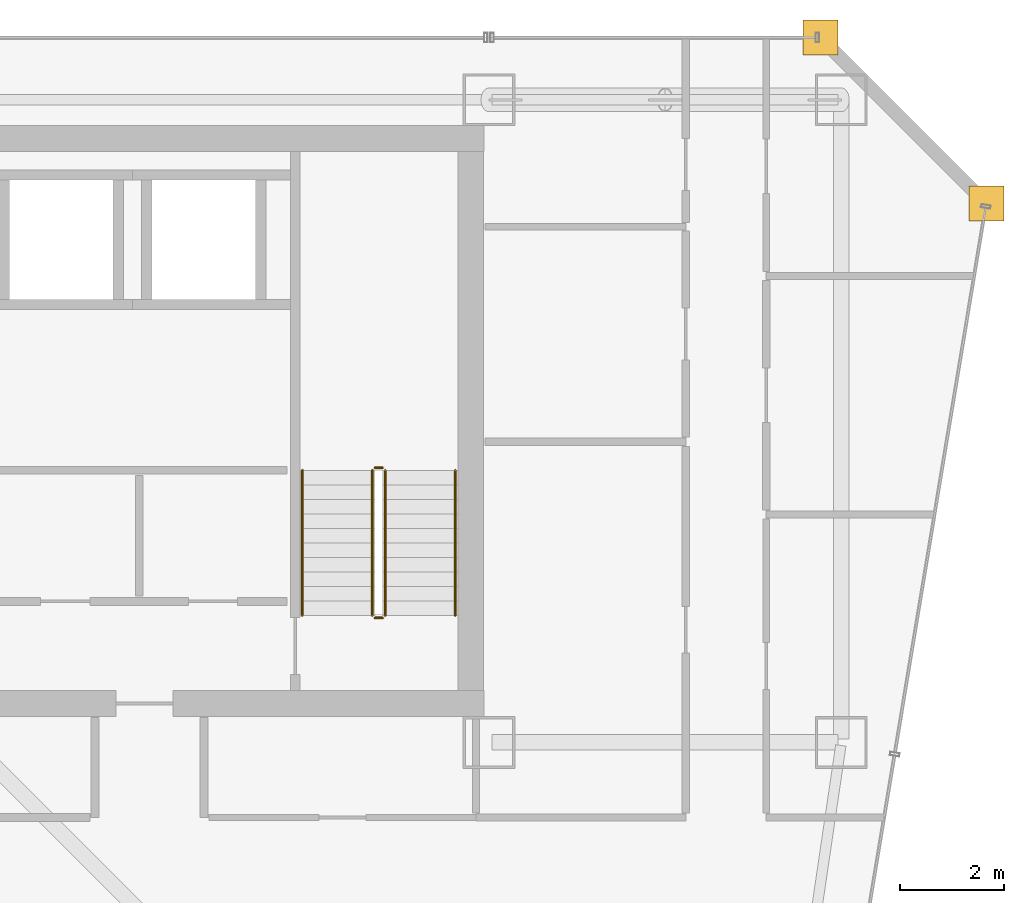
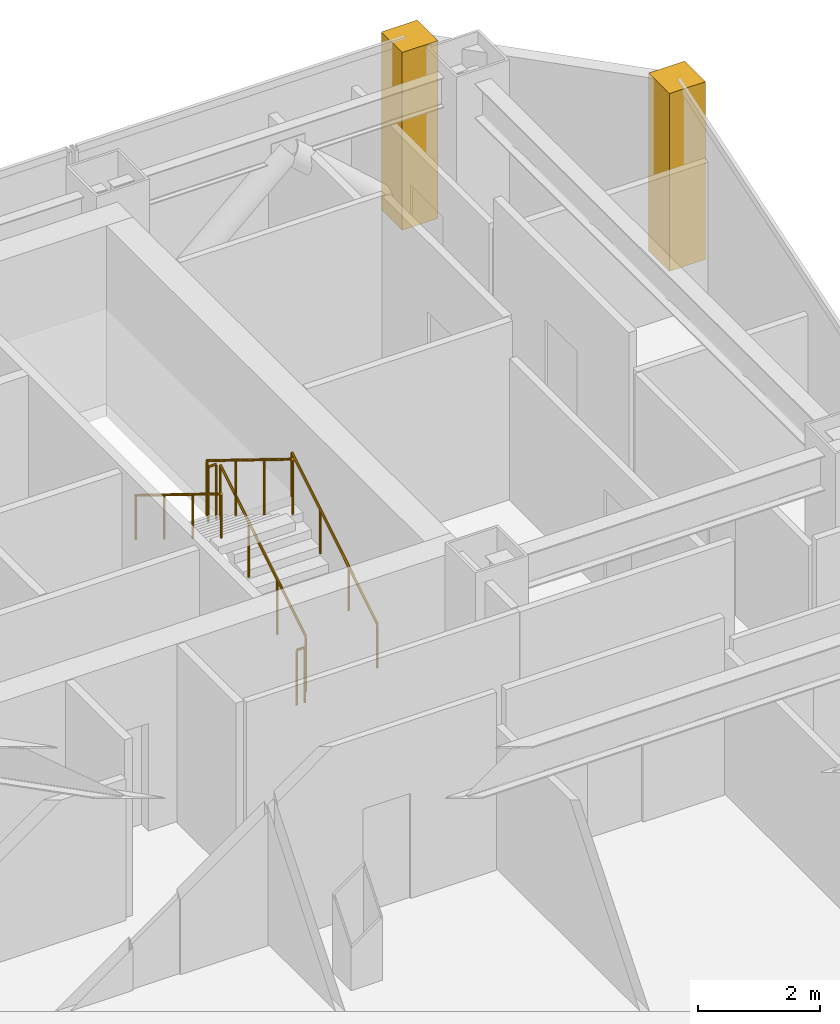
# One storey, part 37 of 37: 6 railings, 2 coverings.
"""IFC4 building model written with IfcOpenShell, lengths in metres."""

from ifc_helpers import new_model, si_unit, direction, frame, origin, origin_2d, place, context, subcontext, project, spatial, polyline, circle, outline, extrude, material, layer, layer_set, type_object, element, save


model = new_model("IFC4")

# Units and contexts
model_context = context("Model", 3, precision=1e-05, world=origin(), true_north=direction((0.0, 1.0)))
body_context = subcontext(model_context, "Body", "Model", "MODEL_VIEW")
ifc_project = project(units=[si_unit("LENGTHUNIT", "METRE"), si_unit("AREAUNIT", "SQUARE_METRE"), si_unit("VOLUMEUNIT", "CUBIC_METRE"), si_unit("PLANEANGLEUNIT", "RADIAN"), si_unit("MASSUNIT", "GRAM", prefix="KILO")], contexts=[model_context])

# Site, building, storey
site_placement = place(None, origin())
site = spatial("IfcSite", under=ifc_project, at=site_placement, CompositionType="ELEMENT")
building_placement = place(site_placement, origin())
building = spatial("IfcBuilding", under=site, at=building_placement, Name="Saevonmaru Cultural Tower", CompositionType="ELEMENT")
storey_placement = place(building_placement, frame((0.0, 0.0, 144.800048828125)))
storey = spatial("IfcBuildingStorey", under=building, at=storey_placement, Name="L31", CompositionType="ELEMENT", Elevation=144.800048828125)

# Coverings
ifc_material_1 = material(Name="Satin Bronze Anodised Aluminium", Category="aluminium")
ifc_layer = layer(ifc_material_1, 0.679931640625, Name="Satin Bronze Anodised Aluminium")
ifc_layer_set = layer_set([ifc_layer], Name="Satin Bronze Anodised Aluminium")
covering_type = type_object("IfcCoveringType", Name="CV-CORNER-CLAD", PredefinedType="CLADDING", material=ifc_layer_set)
covering_1_placement = place(storey_placement, origin())
element("IfcCovering", 1, at=covering_1_placement, inside=storey, type_object=covering_type, Name="L31 Tower Bronze Corner Cladding Pier 9", PredefinedType="CLADDING", context=body_context, shape_type="SweptSolid", body=[
    extrude(outline(polyline([(55.659912109375, 52.4599609375), (56.340087890625, 52.4599609375), (56.340087890625, 53.139892578125), (55.659912109375, 53.139892578125), (55.659912109375, 52.4599609375)])), origin(), (0.0, 0.0, 1.0), 3.550048828125),
])
covering_2_placement = place(storey_placement, origin())
element("IfcCovering", 2, at=covering_2_placement, inside=storey, type_object=covering_type, Name="L31 Tower Bronze Corner Cladding Pier 10", PredefinedType="CLADDING", context=body_context, shape_type="SweptSolid", body=[
    extrude(outline(polyline([(52.4599609375, 55.659912109375), (53.139892578125, 55.659912109375), (53.139892578125, 56.340087890625), (52.4599609375, 56.340087890625), (52.4599609375, 55.659912109375)])), origin(), (0.0, 0.0, 1.0), 3.550048828125),
])

# Railings
ifc_material_2 = material(Name="Architectural Painted Steel", Category="steel")
railing_type_1 = type_object("IfcRailingType", Name="RL-STAIR-GUARD", PredefinedType="GUARDRAIL", material=ifc_material_2)
railing_1_placement = place(storey_placement, frame((44.39990234375, 44.85009765625, 0.172607421875)))
element("IfcRailing", 3, at=railing_1_placement, inside=storey, type_object=railing_type_1, Name="L31 ST-2 stair guard 1", PredefinedType="GUARDRAIL", context=body_context, shape_type="SweptSolid", body=[
    extrude(circle(Radius=0.02392578125, at=origin_2d()), frame((0.0, 0.0, 1.09619140625), z_axis=(0.0, 0.851069175582, 0.525053576669), x_axis=(-1.0, 0.0, 0.0)), (0.0, 0.0, 1.0), 3.289794921875),
    extrude(circle(Radius=0.02099609375, at=origin_2d()), origin(), (0.0, 0.0, 1.0), 1.072021484375),
    extrude(circle(Radius=0.02099609375, at=origin_2d()), frame((0.0, 0.933349609375, 0.57568359375)), (0.0, 0.0, 1.0), 1.072021484375),
    extrude(circle(Radius=0.02099609375, at=origin_2d()), frame((0.0, 1.866455078125, 1.151611328125)), (0.0, 0.0, 1.0), 1.072021484375),
    extrude(circle(Radius=0.02099609375, at=origin_2d()), frame((0.0, 2.7998046875, 1.727294921875)), (0.0, 0.0, 1.0), 1.072021484375),
])
railing_2_placement = place(storey_placement, frame((44.35009765625, 47.699951171875, 1.89990234375)))
element("IfcRailing", 4, at=railing_2_placement, inside=storey, type_object=railing_type_1, Name="L31 ST-2 stair guard 2", PredefinedType="GUARDRAIL", context=body_context, shape_type="SweptSolid", body=[
    extrude(circle(Radius=0.02392578125, at=origin_2d()), frame((0.0, 0.0, 1.09619140625), z_axis=(-1.0, 0.0, 0.0), x_axis=(0.0, -1.0, 0.0)), (0.0, 0.0, 1.0), 0.150146484375),
    extrude(circle(Radius=0.02099609375, at=origin_2d()), origin(), (0.0, 0.0, 1.0), 1.072021484375),
    extrude(circle(Radius=0.02099609375, at=origin_2d()), frame((-0.150146484375, 0.0, 0.0)), (0.0, 0.0, 1.0), 1.072021484375),
])
railing_3_placement = place(storey_placement, frame((44.14990234375, 47.64990234375, 2.07275390625)))
element("IfcRailing", 5, at=railing_3_placement, inside=storey, type_object=railing_type_1, Name="L31 ST-2 stair guard 3", PredefinedType="GUARDRAIL", context=body_context, shape_type="SweptSolid", body=[
    extrude(circle(Radius=0.02392578125, at=origin_2d()), frame((0.0, 0.0, 1.09619140625), z_axis=(0.0, -0.851069175582, 0.525053576669), x_axis=(1.0, 0.0, 0.0)), (0.0, 0.0, 1.0), 3.289794921875),
    extrude(circle(Radius=0.02099609375, at=origin_2d()), origin(), (0.0, 0.0, 1.0), 1.072021484375),
    extrude(circle(Radius=0.02099609375, at=origin_2d()), frame((0.0, -0.933349609375, 0.57568359375)), (0.0, 0.0, 1.0), 1.072021484375),
    extrude(circle(Radius=0.02099609375, at=origin_2d()), frame((0.0, -1.866455078125, 1.151611328125)), (0.0, 0.0, 1.0), 1.072021484375),
    extrude(circle(Radius=0.02099609375, at=origin_2d()), frame((0.0, -2.7998046875, 1.727294921875)), (0.0, 0.0, 1.0), 1.072021484375),
])
railing_4_placement = place(storey_placement, frame((44.35009765625, 44.800048828125, 0.0)))
element("IfcRailing", 6, at=railing_4_placement, inside=storey, type_object=railing_type_1, Name="L31 ST-2 stair guard 4", PredefinedType="GUARDRAIL", context=body_context, shape_type="SweptSolid", body=[
    extrude(circle(Radius=0.02392578125, at=origin_2d()), frame((0.0, 0.0, 1.09619140625), z_axis=(-1.0, 0.0, 0.0), x_axis=(0.0, -1.0, 0.0)), (0.0, 0.0, 1.0), 0.150146484375),
    extrude(circle(Radius=0.02099609375, at=origin_2d()), origin(), (0.0, 0.0, 1.0), 1.072021484375),
    extrude(circle(Radius=0.02099609375, at=origin_2d()), frame((-0.150146484375, 0.0, 0.0)), (0.0, 0.0, 1.0), 1.072021484375),
])
railing_type_2 = type_object("IfcRailingType", Name="RL-STAIR-HANDRAIL", PredefinedType="HANDRAIL", material=ifc_material_1)
railing_5_placement = place(storey_placement, frame((45.75, 44.85009765625, 0.172607421875)))
element("IfcRailing", 7, at=railing_5_placement, inside=storey, type_object=railing_type_2, Name="L31 ST-2 stair handrail 1", PredefinedType="HANDRAIL", context=body_context, shape_type="SweptSolid", body=[
    extrude(circle(Radius=0.02392578125, at=origin_2d()), frame((0.0, 0.0, 0.8759765625), z_axis=(0.0, 0.851069175582, 0.525053576669), x_axis=(-1.0, 0.0, 0.0)), (0.0, 0.0, 1.0), 3.289794921875),
    extrude(circle(Radius=0.02099609375, at=origin_2d()), origin(), (0.0, 0.0, 1.0), 0.851806640625),
    extrude(circle(Radius=0.02099609375, at=origin_2d()), frame((0.0, 0.933349609375, 0.57568359375)), (0.0, 0.0, 1.0), 0.851806640625),
    extrude(circle(Radius=0.02099609375, at=origin_2d()), frame((0.0, 1.866455078125, 1.151611328125)), (0.0, 0.0, 1.0), 0.851806640625),
    extrude(circle(Radius=0.02099609375, at=origin_2d()), frame((0.0, 2.7998046875, 1.727294921875)), (0.0, 0.0, 1.0), 0.851806640625),
])
railing_6_placement = place(storey_placement, frame((42.800048828125, 47.64990234375, 2.07275390625)))
element("IfcRailing", 8, at=railing_6_placement, inside=storey, type_object=railing_type_2, Name="L31 ST-2 stair handrail 2", PredefinedType="HANDRAIL", context=body_context, shape_type="SweptSolid", body=[
    extrude(circle(Radius=0.02392578125, at=origin_2d()), frame((0.0, 0.0, 0.8759765625), z_axis=(0.0, -0.851069175582, 0.525053576669), x_axis=(1.0, 0.0, 0.0)), (0.0, 0.0, 1.0), 3.289794921875),
    extrude(circle(Radius=0.02099609375, at=origin_2d()), origin(), (0.0, 0.0, 1.0), 0.851806640625),
    extrude(circle(Radius=0.02099609375, at=origin_2d()), frame((0.0, -0.933349609375, 0.57568359375)), (0.0, 0.0, 1.0), 0.851806640625),
    extrude(circle(Radius=0.02099609375, at=origin_2d()), frame((0.0, -1.866455078125, 1.151611328125)), (0.0, 0.0, 1.0), 0.851806640625),
    extrude(circle(Radius=0.02099609375, at=origin_2d()), frame((0.0, -2.7998046875, 1.727294921875)), (0.0, 0.0, 1.0), 0.851806640625),
])

save(model, "model.ifc")
